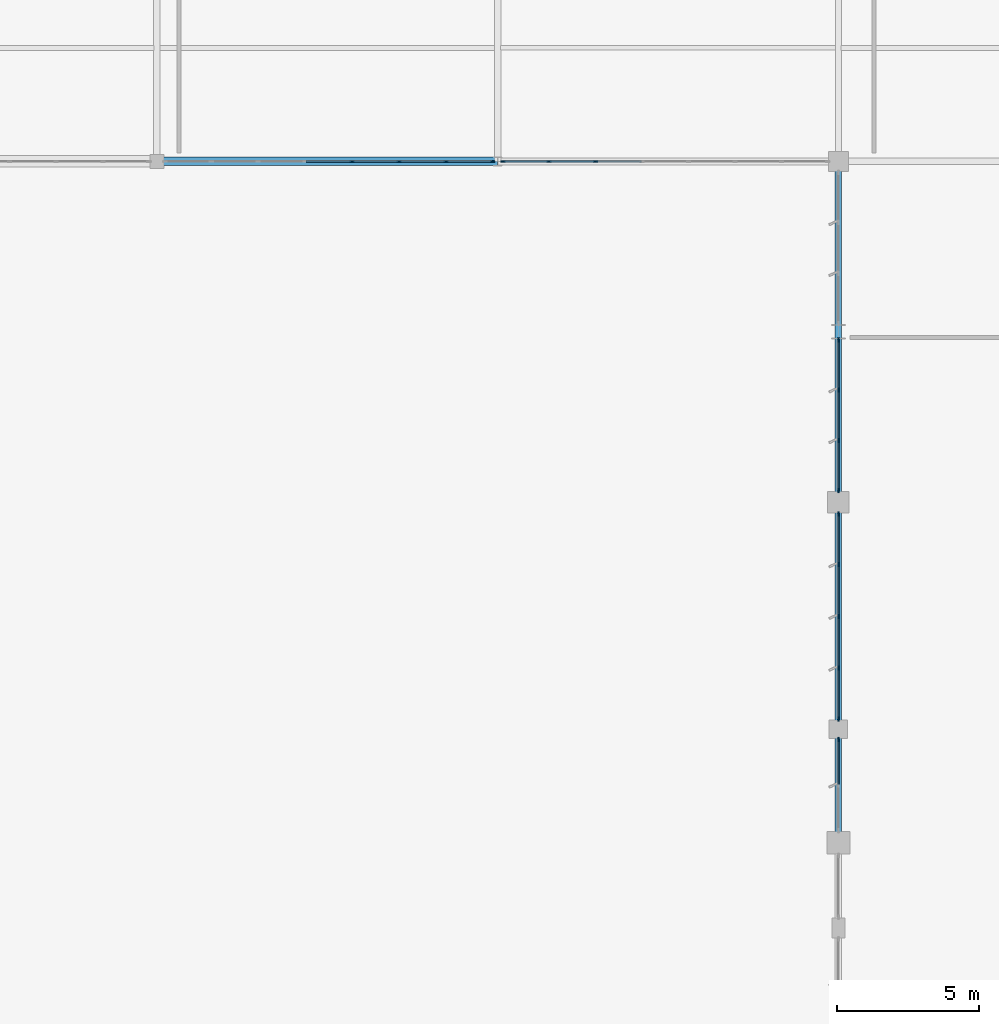
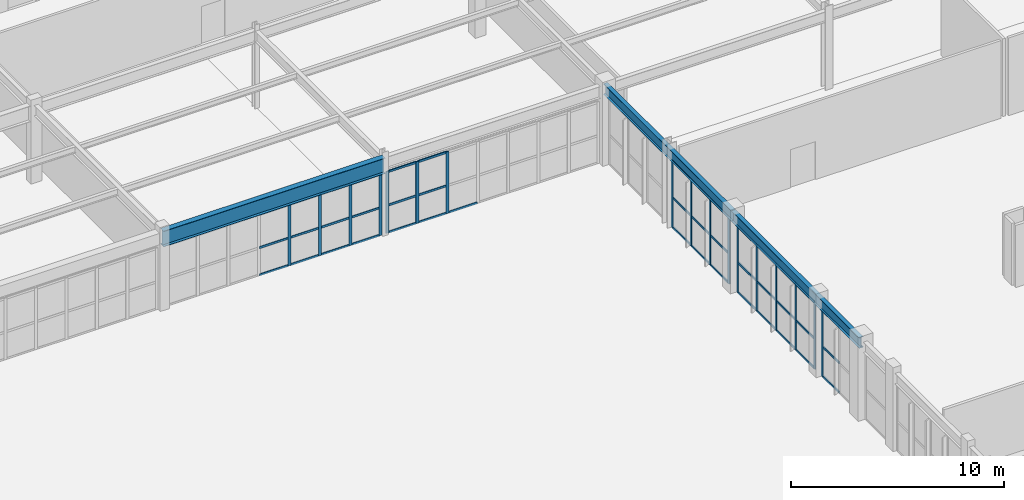
# One storey, part 85 of 199: 60 members, 3 beams, 5 elements without a shape of their own.
"""IFC4 building model written with IfcOpenShell, lengths in metres."""

from ifc_helpers import new_model, si_unit, direction, frame, origin, origin_2d, place, context, subcontext, project, spatial, rectangle, i_section, extrude, material, layer, layer_set, material_profile, profile_set, type_object, element, aggregate, save


model = new_model("IFC4")

# Units and contexts
model_context = context("Model", 3, precision=1e-05, world=origin(), true_north=direction((0.0, 1.0)))
body_context = subcontext(model_context, "Body", "Model", "MODEL_VIEW")
ifc_project = project(units=[si_unit("LENGTHUNIT", "METRE"), si_unit("AREAUNIT", "SQUARE_METRE"), si_unit("VOLUMEUNIT", "CUBIC_METRE"), si_unit("PLANEANGLEUNIT", "RADIAN"), si_unit("MASSUNIT", "GRAM", prefix="KILO")], contexts=[model_context])

# Site, building, storey
site_placement = place(None, origin())
site = spatial("IfcSite", under=ifc_project, at=site_placement, CompositionType="ELEMENT")
building_placement = place(site_placement, origin())
building = spatial("IfcBuilding", under=site, at=building_placement, Name="Tarnwether General Hospital", CompositionType="ELEMENT")
storey_placement = place(building_placement, origin())
storey = spatial("IfcBuildingStorey", under=building, at=storey_placement, Name="L00", CompositionType="ELEMENT", Elevation=0.0)

# Beams
ifc_material_1 = material(Name="Steel Grade 350 (350 MPa)", Category="steel")
ifc_material_profile_1 = material_profile(ifc_material_1, i_section(OverallWidth=0.300048828125, OverallDepth=0.89990234375, WebThickness=0.011962890625, FlangeThickness=0.02001953125, at=origin_2d()), Name="900WB175")
ifc_profile_set_1 = profile_set([ifc_material_profile_1], Name="Steel Grade 350 (350 MPa)")
beam_type_1 = type_object("IfcBeamType", Name="BM-G01", PredefinedType="BEAM", material=ifc_profile_set_1)
beam_1_placement = place(storey_placement, frame((84.0, 81.60009765625, 3.9951171875), z_axis=(1.0, 0.0, 0.0), x_axis=(0.0, 1.0, 0.0)))
element("IfcBeam", 1, at=beam_1_placement, inside=storey, type_object=beam_type_1, Name="Primary Girder BMG-L00-8400_8160-9600_8160-0725", PredefinedType="BEAM", context=body_context, shape_type="SweptSolid", body=[
    extrude(i_section(OverallWidth=0.300048828125, OverallDepth=0.89990234375, WebThickness=0.011962890625, FlangeThickness=0.02001953125, at=origin_2d()), origin(), (0.0, 0.0, 1.0), 12.0),
])
ifc_material_2 = material(Name="Steel Grade 350 (350 MPa)", Category="steel")
ifc_material_profile_2 = material_profile(ifc_material_2, i_section(OverallWidth=0.22802734375, OverallDepth=0.60693359375, WebThickness=0.01123046875, FlangeThickness=0.017333984375, at=origin_2d()), Name="610UB113")
ifc_profile_set_2 = profile_set([ifc_material_profile_2], Name="Steel Grade 350 (350 MPa)")
beam_type_2 = type_object("IfcBeamType", Name="BM-G04", PredefinedType="BEAM", material=ifc_profile_set_2)
beam_2_placement = place(storey_placement, frame((108.0, 57.60009765625, 4.1416015625), z_axis=(0.0, 1.0, 0.0), x_axis=(-1.0, 0.0, 0.0)))
element("IfcBeam", 2, at=beam_2_placement, inside=storey, type_object=beam_type_2, Name="Primary Girder BMG-L00-10800_5760-10800_6960-0751", PredefinedType="BEAM", context=body_context, shape_type="SweptSolid", body=[
    extrude(i_section(OverallWidth=0.22802734375, OverallDepth=0.60693359375, WebThickness=0.01123046875, FlangeThickness=0.017333984375, at=origin_2d()), origin(), (0.0, 0.0, 1.0), 12.0),
])
ifc_material_3 = material(Name="Steel Grade 350 (350 MPa)", Category="steel")
ifc_material_profile_3 = material_profile(ifc_material_3, i_section(OverallWidth=0.22802734375, OverallDepth=0.60205078125, WebThickness=0.010498046875, FlangeThickness=0.014892578125, at=origin_2d()), Name="610UB101")
ifc_profile_set_3 = profile_set([ifc_material_profile_3], Name="Steel Grade 350 (350 MPa)")
beam_type_3 = type_object("IfcBeamType", Name="BM-G05", PredefinedType="BEAM", material=ifc_profile_set_3)
beam_3_placement = place(storey_placement, frame((108.0, 69.60009765625, 4.14404296875), z_axis=(0.0, 1.0, 0.0), x_axis=(-1.0, 0.0, 0.0)))
element("IfcBeam", 3, at=beam_3_placement, inside=storey, type_object=beam_type_3, Name="Primary Girder BMG-L00-10800_6960-10800_8160-0752", PredefinedType="BEAM", context=body_context, shape_type="SweptSolid", body=[
    extrude(i_section(OverallWidth=0.22802734375, OverallDepth=0.60205078125, WebThickness=0.010498046875, FlangeThickness=0.014892578125, at=origin_2d()), origin(), (0.0, 0.0, 1.0), 12.0),
])

# Curtain wall, member
ifc_material_4 = material(Name="Anodised aluminium", Category="aluminium")
ifc_layer_1 = layer(ifc_material_4, 0.179931640625)
ifc_layer_set_1 = layer_set([ifc_layer_1], Name="Anodised aluminium")
curtain_wall_type_1 = type_object("IfcCurtainWallType", Name="CW-08", PredefinedType="NOTDEFINED", material=ifc_layer_set_1)
curtain_wall_1_placement = place(storey_placement, origin())
curtain_wall_1 = element("IfcCurtainWall", 4, at=curtain_wall_1_placement, inside=storey, type_object=curtain_wall_type_1, Name="Curtain Wall CWG-L00-1080_580-0301", PredefinedType="NOTDEFINED")
ifc_material_5 = material(Name="Anodised aluminium", Category="aluminium")
ifc_material_profile_4 = material_profile(ifc_material_5, rectangle(XDim=0.06005859375, YDim=0.159912109375, at=origin_2d()), Name="ALU-MUL-60x160")
ifc_profile_set_4 = profile_set([ifc_material_profile_4], Name="Anodised aluminium")
member_type_1 = type_object("IfcMemberType", Name="CW-ML1", PredefinedType="MULLION", material=ifc_profile_set_4)
member_1_placement = place(storey_placement, frame((108.0, 61.237060546875, 0.0), z_axis=(0.0, 0.0, 1.0), x_axis=(-1.0, 0.0, 0.0)))
member_1 = element("IfcMember", 5, at=member_1_placement, type_object=member_type_1, Name="CW-08 mullion 3", PredefinedType="MULLION", context=body_context, shape_type="SweptSolid", body=[
    extrude(rectangle(XDim=0.06005859375, YDim=0.159912109375, at=origin_2d()), origin(), (0.0, 0.0, 1.0), 3.822998046875),
])

# Curtain wall, members
curtain_wall_2_placement = place(storey_placement, origin())
curtain_wall_2 = element("IfcCurtainWall", 6, at=curtain_wall_2_placement, inside=storey, type_object=curtain_wall_type_1, Name="Curtain Wall CWG-L00-1080_619-0302", PredefinedType="NOTDEFINED")
member_2_placement = place(storey_placement, frame((108.0, 61.962890625, 0.0), z_axis=(0.0, 0.0, 1.0), x_axis=(-1.0, 0.0, 0.0)))
member_2 = element("IfcMember", 7, at=member_2_placement, type_object=member_type_1, Name="CW-08 mullion 1", PredefinedType="MULLION", context=body_context, shape_type="SweptSolid", body=[
    extrude(rectangle(XDim=0.06005859375, YDim=0.159912109375, at=origin_2d()), origin(), (0.0, 0.0, 1.0), 3.822998046875),
])
member_3_placement = place(storey_placement, frame((108.0, 63.75390625, 0.0), z_axis=(0.0, 0.0, 1.0), x_axis=(-1.0, 0.0, 0.0)))
member_3 = element("IfcMember", 8, at=member_3_placement, type_object=member_type_1, Name="CW-08 mullion 2", PredefinedType="MULLION", context=body_context, shape_type="SweptSolid", body=[
    extrude(rectangle(XDim=0.06005859375, YDim=0.159912109375, at=origin_2d()), origin(), (0.0, 0.0, 1.0), 3.822998046875),
])
member_4_placement = place(storey_placement, frame((108.0, 65.574951171875, 0.0), z_axis=(0.0, 0.0, 1.0), x_axis=(-1.0, 0.0, 0.0)))
member_4 = element("IfcMember", 9, at=member_4_placement, type_object=member_type_1, Name="CW-08 mullion 3", PredefinedType="MULLION", context=body_context, shape_type="SweptSolid", body=[
    extrude(rectangle(XDim=0.06005859375, YDim=0.159912109375, at=origin_2d()), origin(), (0.0, 0.0, 1.0), 3.822998046875),
])
member_5_placement = place(storey_placement, frame((108.0, 67.39599609375, 0.0), z_axis=(0.0, 0.0, 1.0), x_axis=(-1.0, 0.0, 0.0)))
member_5 = element("IfcMember", 10, at=member_5_placement, type_object=member_type_1, Name="CW-08 mullion 4", PredefinedType="MULLION", context=body_context, shape_type="SweptSolid", body=[
    extrude(rectangle(XDim=0.06005859375, YDim=0.159912109375, at=origin_2d()), origin(), (0.0, 0.0, 1.0), 3.822998046875),
])
member_6_placement = place(storey_placement, frame((108.0, 69.18701171875, 0.0), z_axis=(0.0, 0.0, 1.0), x_axis=(-1.0, 0.0, 0.0)))
member_6 = element("IfcMember", 11, at=member_6_placement, type_object=member_type_1, Name="CW-08 mullion 5", PredefinedType="MULLION", context=body_context, shape_type="SweptSolid", body=[
    extrude(rectangle(XDim=0.06005859375, YDim=0.159912109375, at=origin_2d()), origin(), (0.0, 0.0, 1.0), 3.822998046875),
])

curtain_wall_3_placement = place(storey_placement, origin())
curtain_wall_3 = element("IfcCurtainWall", 12, at=curtain_wall_3_placement, inside=storey, type_object=curtain_wall_type_1, Name="Curtain Wall CWG-L00-1080_700-0303", PredefinedType="NOTDEFINED")
member_7_placement = place(storey_placement, frame((108.0, 70.012939453125, 0.0), z_axis=(0.0, 0.0, 1.0), x_axis=(-1.0, 0.0, 0.0)))
member_7 = element("IfcMember", 13, at=member_7_placement, type_object=member_type_1, Name="CW-08 mullion 1", PredefinedType="MULLION", context=body_context, shape_type="SweptSolid", body=[
    extrude(rectangle(XDim=0.06005859375, YDim=0.159912109375, at=origin_2d()), origin(), (0.0, 0.0, 1.0), 3.827880859375),
])
member_8_placement = place(storey_placement, frame((108.0, 71.769287109375, 0.0), z_axis=(0.0, 0.0, 1.0), x_axis=(-1.0, 0.0, 0.0)))
member_8 = element("IfcMember", 14, at=member_8_placement, type_object=member_type_1, Name="CW-08 mullion 2", PredefinedType="MULLION", context=body_context, shape_type="SweptSolid", body=[
    extrude(rectangle(XDim=0.06005859375, YDim=0.159912109375, at=origin_2d()), origin(), (0.0, 0.0, 1.0), 3.827880859375),
])
member_9_placement = place(storey_placement, frame((108.0, 73.5556640625, 0.0), z_axis=(0.0, 0.0, 1.0), x_axis=(-1.0, 0.0, 0.0)))
member_9 = element("IfcMember", 15, at=member_9_placement, type_object=member_type_1, Name="CW-08 mullion 3", PredefinedType="MULLION", context=body_context, shape_type="SweptSolid", body=[
    extrude(rectangle(XDim=0.06005859375, YDim=0.159912109375, at=origin_2d()), origin(), (0.0, 0.0, 1.0), 3.827880859375),
])
member_10_placement = place(storey_placement, frame((108.0, 75.31201171875, 0.0), z_axis=(0.0, 0.0, 1.0), x_axis=(-1.0, 0.0, 0.0)))
member_10 = element("IfcMember", 16, at=member_10_placement, type_object=member_type_1, Name="CW-08 mullion 4", PredefinedType="MULLION", context=body_context, shape_type="SweptSolid", body=[
    extrude(rectangle(XDim=0.06005859375, YDim=0.159912109375, at=origin_2d()), origin(), (0.0, 0.0, 1.0), 3.827880859375),
])

ifc_material_6 = material(Name="Anodised aluminium", Category="aluminium")
ifc_layer_2 = layer(ifc_material_6, 0.159912109375)
ifc_layer_set_2 = layer_set([ifc_layer_2], Name="Anodised aluminium")
curtain_wall_type_2 = type_object("IfcCurtainWallType", Name="CW-23", PredefinedType="NOTDEFINED", material=ifc_layer_set_2)
curtain_wall_4_placement = place(storey_placement, origin())
curtain_wall_4 = element("IfcCurtainWall", 17, at=curtain_wall_4_placement, inside=storey, type_object=curtain_wall_type_2, Name="Curtain Wall CWG-L00-843_816-0307", PredefinedType="NOTDEFINED")
member_11_placement = place(storey_placement, frame((90.876220703125, 81.60009765625, 0.0), z_axis=(0.0, 0.0, 1.0), x_axis=(0.0, 1.0, 0.0)))
member_11 = element("IfcMember", 18, at=member_11_placement, type_object=member_type_1, Name="CW-23 mullion 5", PredefinedType="MULLION", context=body_context, shape_type="SweptSolid", body=[
    extrude(rectangle(XDim=0.06005859375, YDim=0.159912109375, at=origin_2d()), origin(), (0.0, 0.0, 1.0), 3.530029296875),
])
member_12_placement = place(storey_placement, frame((92.53076171875, 81.60009765625, 0.0), z_axis=(0.0, 0.0, 1.0), x_axis=(0.0, 1.0, 0.0)))
member_12 = element("IfcMember", 19, at=member_12_placement, type_object=member_type_1, Name="CW-23 mullion 6", PredefinedType="MULLION", context=body_context, shape_type="SweptSolid", body=[
    extrude(rectangle(XDim=0.06005859375, YDim=0.159912109375, at=origin_2d()), origin(), (0.0, 0.0, 1.0), 3.530029296875),
])
member_13_placement = place(storey_placement, frame((94.185546875, 81.60009765625, 0.0), z_axis=(0.0, 0.0, 1.0), x_axis=(0.0, 1.0, 0.0)))
member_13 = element("IfcMember", 20, at=member_13_placement, type_object=member_type_1, Name="CW-23 mullion 7", PredefinedType="MULLION", context=body_context, shape_type="SweptSolid", body=[
    extrude(rectangle(XDim=0.06005859375, YDim=0.159912109375, at=origin_2d()), origin(), (0.0, 0.0, 1.0), 3.530029296875),
])
member_14_placement = place(storey_placement, frame((95.81005859375, 81.60009765625, 0.0), z_axis=(0.0, 0.0, 1.0), x_axis=(0.0, 1.0, 0.0)))
member_14 = element("IfcMember", 21, at=member_14_placement, type_object=member_type_1, Name="CW-23 mullion 8", PredefinedType="MULLION", context=body_context, shape_type="SweptSolid", body=[
    extrude(rectangle(XDim=0.06005859375, YDim=0.159912109375, at=origin_2d()), origin(), (0.0, 0.0, 1.0), 3.530029296875),
])

curtain_wall_5_placement = place(storey_placement, origin())
curtain_wall_5 = element("IfcCurtainWall", 22, at=curtain_wall_5_placement, inside=storey, type_object=curtain_wall_type_2, Name="Curtain Wall CWG-L00-962_816-0308", PredefinedType="NOTDEFINED")
member_15_placement = place(storey_placement, frame((96.18994140625, 81.60009765625, 0.0), z_axis=(0.0, 0.0, 1.0), x_axis=(0.0, 1.0, 0.0)))
member_15 = element("IfcMember", 23, at=member_15_placement, type_object=member_type_1, Name="CW-23 mullion 1", PredefinedType="MULLION", context=body_context, shape_type="SweptSolid", body=[
    extrude(rectangle(XDim=0.06005859375, YDim=0.159912109375, at=origin_2d()), origin(), (0.0, 0.0, 1.0), 3.530029296875),
])
member_16_placement = place(storey_placement, frame((97.80029296875, 81.60009765625, 0.0), z_axis=(0.0, 0.0, 1.0), x_axis=(0.0, 1.0, 0.0)))
member_16 = element("IfcMember", 24, at=member_16_placement, type_object=member_type_1, Name="CW-23 mullion 2", PredefinedType="MULLION", context=body_context, shape_type="SweptSolid", body=[
    extrude(rectangle(XDim=0.06005859375, YDim=0.159912109375, at=origin_2d()), origin(), (0.0, 0.0, 1.0), 3.530029296875),
])
member_17_placement = place(storey_placement, frame((99.440673828125, 81.60009765625, 0.0), z_axis=(0.0, 0.0, 1.0), x_axis=(0.0, 1.0, 0.0)))
member_17 = element("IfcMember", 25, at=member_17_placement, type_object=member_type_1, Name="CW-23 mullion 3", PredefinedType="MULLION", context=body_context, shape_type="SweptSolid", body=[
    extrude(rectangle(XDim=0.06005859375, YDim=0.159912109375, at=origin_2d()), origin(), (0.0, 0.0, 1.0), 3.530029296875),
])

# Member
ifc_material_7 = material(Name="Anodised aluminium", Category="aluminium")
ifc_material_profile_5 = material_profile(ifc_material_7, rectangle(XDim=0.06005859375, YDim=0.1201171875, at=origin_2d()), Name="ALU-TRN-60x120")
ifc_profile_set_5 = profile_set([ifc_material_profile_5], Name="Anodised aluminium")
member_type_2 = type_object("IfcMemberType", Name="CW-TR1", PredefinedType="USERDEFINED", material=ifc_profile_set_5)
member_18_placement = place(storey_placement, frame((108.0, 59.66748046875, 0.030029296875), z_axis=(0.0, 1.0, 0.0), x_axis=(-1.0, 0.0, 0.0)))
member_18 = element("IfcMember", 26, at=member_18_placement, type_object=member_type_2, Name="CW-08 transom 2.1", ObjectType="TRANSOM", PredefinedType="USERDEFINED", context=body_context, shape_type="SweptSolid", body=[
    extrude(rectangle(XDim=0.06005859375, YDim=0.1201171875, at=origin_2d()), origin(), (0.0, 0.0, 1.0), 1.53955078125),
])

member_19_placement = place(storey_placement, frame((108.0, 59.66748046875, 1.720458984375), z_axis=(0.0, 1.0, 0.0), x_axis=(-1.0, 0.0, 0.0)))
member_19 = element("IfcMember", 27, at=member_19_placement, type_object=member_type_2, Name="CW-08 transom 2.2", ObjectType="TRANSOM", PredefinedType="USERDEFINED", context=body_context, shape_type="SweptSolid", body=[
    extrude(rectangle(XDim=0.06005859375, YDim=0.1201171875, at=origin_2d()), origin(), (0.0, 0.0, 1.0), 1.53955078125),
])

member_20_placement = place(storey_placement, frame((108.0, 59.66748046875, 3.79296875), z_axis=(0.0, 1.0, 0.0), x_axis=(-1.0, 0.0, 0.0)))
member_20 = element("IfcMember", 28, at=member_20_placement, type_object=member_type_2, Name="CW-08 transom 2.3", ObjectType="TRANSOM", PredefinedType="USERDEFINED", context=body_context, shape_type="SweptSolid", body=[
    extrude(rectangle(XDim=0.06005859375, YDim=0.1201171875, at=origin_2d()), origin(), (0.0, 0.0, 1.0), 1.53955078125),
])

aggregate(curtain_wall_1, [member_1, member_18, member_19, member_20])

member_21_placement = place(storey_placement, frame((108.0, 61.992919921875, 0.030029296875), z_axis=(0.0, 1.0, 0.0), x_axis=(-1.0, 0.0, 0.0)))
member_21 = element("IfcMember", 29, at=member_21_placement, type_object=member_type_2, Name="CW-08 transom 1.1", ObjectType="TRANSOM", PredefinedType="USERDEFINED", context=body_context, shape_type="SweptSolid", body=[
    extrude(rectangle(XDim=0.06005859375, YDim=0.1201171875, at=origin_2d()), origin(), (0.0, 0.0, 1.0), 1.731201171875),
])

member_22_placement = place(storey_placement, frame((108.0, 61.992919921875, 1.720458984375), z_axis=(0.0, 1.0, 0.0), x_axis=(-1.0, 0.0, 0.0)))
member_22 = element("IfcMember", 30, at=member_22_placement, type_object=member_type_2, Name="CW-08 transom 1.2", ObjectType="TRANSOM", PredefinedType="USERDEFINED", context=body_context, shape_type="SweptSolid", body=[
    extrude(rectangle(XDim=0.06005859375, YDim=0.1201171875, at=origin_2d()), origin(), (0.0, 0.0, 1.0), 1.731201171875),
])

member_23_placement = place(storey_placement, frame((108.0, 61.992919921875, 3.79296875), z_axis=(0.0, 1.0, 0.0), x_axis=(-1.0, 0.0, 0.0)))
member_23 = element("IfcMember", 31, at=member_23_placement, type_object=member_type_2, Name="CW-08 transom 1.3", ObjectType="TRANSOM", PredefinedType="USERDEFINED", context=body_context, shape_type="SweptSolid", body=[
    extrude(rectangle(XDim=0.06005859375, YDim=0.1201171875, at=origin_2d()), origin(), (0.0, 0.0, 1.0), 1.731201171875),
])

member_24_placement = place(storey_placement, frame((108.0, 63.783935546875, 0.030029296875), z_axis=(0.0, 1.0, 0.0), x_axis=(-1.0, 0.0, 0.0)))
member_24 = element("IfcMember", 32, at=member_24_placement, type_object=member_type_2, Name="CW-08 transom 2.1", ObjectType="TRANSOM", PredefinedType="USERDEFINED", context=body_context, shape_type="SweptSolid", body=[
    extrude(rectangle(XDim=0.06005859375, YDim=0.1201171875, at=origin_2d()), origin(), (0.0, 0.0, 1.0), 1.760986328125),
])

member_25_placement = place(storey_placement, frame((108.0, 63.783935546875, 1.720458984375), z_axis=(0.0, 1.0, 0.0), x_axis=(-1.0, 0.0, 0.0)))
member_25 = element("IfcMember", 33, at=member_25_placement, type_object=member_type_2, Name="CW-08 transom 2.2", ObjectType="TRANSOM", PredefinedType="USERDEFINED", context=body_context, shape_type="SweptSolid", body=[
    extrude(rectangle(XDim=0.06005859375, YDim=0.1201171875, at=origin_2d()), origin(), (0.0, 0.0, 1.0), 1.760986328125),
])

member_26_placement = place(storey_placement, frame((108.0, 63.783935546875, 3.79296875), z_axis=(0.0, 1.0, 0.0), x_axis=(-1.0, 0.0, 0.0)))
member_26 = element("IfcMember", 34, at=member_26_placement, type_object=member_type_2, Name="CW-08 transom 2.3", ObjectType="TRANSOM", PredefinedType="USERDEFINED", context=body_context, shape_type="SweptSolid", body=[
    extrude(rectangle(XDim=0.06005859375, YDim=0.1201171875, at=origin_2d()), origin(), (0.0, 0.0, 1.0), 1.760986328125),
])

member_27_placement = place(storey_placement, frame((108.0, 65.60498046875, 0.030029296875), z_axis=(0.0, 1.0, 0.0), x_axis=(-1.0, 0.0, 0.0)))
member_27 = element("IfcMember", 35, at=member_27_placement, type_object=member_type_2, Name="CW-08 transom 3.1", ObjectType="TRANSOM", PredefinedType="USERDEFINED", context=body_context, shape_type="SweptSolid", body=[
    extrude(rectangle(XDim=0.06005859375, YDim=0.1201171875, at=origin_2d()), origin(), (0.0, 0.0, 1.0), 1.760986328125),
])

member_28_placement = place(storey_placement, frame((108.0, 65.60498046875, 1.720458984375), z_axis=(0.0, 1.0, 0.0), x_axis=(-1.0, 0.0, 0.0)))
member_28 = element("IfcMember", 36, at=member_28_placement, type_object=member_type_2, Name="CW-08 transom 3.2", ObjectType="TRANSOM", PredefinedType="USERDEFINED", context=body_context, shape_type="SweptSolid", body=[
    extrude(rectangle(XDim=0.06005859375, YDim=0.1201171875, at=origin_2d()), origin(), (0.0, 0.0, 1.0), 1.760986328125),
])

member_29_placement = place(storey_placement, frame((108.0, 65.60498046875, 3.79296875), z_axis=(0.0, 1.0, 0.0), x_axis=(-1.0, 0.0, 0.0)))
member_29 = element("IfcMember", 37, at=member_29_placement, type_object=member_type_2, Name="CW-08 transom 3.3", ObjectType="TRANSOM", PredefinedType="USERDEFINED", context=body_context, shape_type="SweptSolid", body=[
    extrude(rectangle(XDim=0.06005859375, YDim=0.1201171875, at=origin_2d()), origin(), (0.0, 0.0, 1.0), 1.760986328125),
])

member_30_placement = place(storey_placement, frame((108.0, 67.426025390625, 0.030029296875), z_axis=(0.0, 1.0, 0.0), x_axis=(-1.0, 0.0, 0.0)))
member_30 = element("IfcMember", 38, at=member_30_placement, type_object=member_type_2, Name="CW-08 transom 4.1", ObjectType="TRANSOM", PredefinedType="USERDEFINED", context=body_context, shape_type="SweptSolid", body=[
    extrude(rectangle(XDim=0.06005859375, YDim=0.1201171875, at=origin_2d()), origin(), (0.0, 0.0, 1.0), 1.73095703125),
])

member_31_placement = place(storey_placement, frame((108.0, 67.426025390625, 1.720458984375), z_axis=(0.0, 1.0, 0.0), x_axis=(-1.0, 0.0, 0.0)))
member_31 = element("IfcMember", 39, at=member_31_placement, type_object=member_type_2, Name="CW-08 transom 4.2", ObjectType="TRANSOM", PredefinedType="USERDEFINED", context=body_context, shape_type="SweptSolid", body=[
    extrude(rectangle(XDim=0.06005859375, YDim=0.1201171875, at=origin_2d()), origin(), (0.0, 0.0, 1.0), 1.73095703125),
])

member_32_placement = place(storey_placement, frame((108.0, 67.426025390625, 3.79296875), z_axis=(0.0, 1.0, 0.0), x_axis=(-1.0, 0.0, 0.0)))
member_32 = element("IfcMember", 40, at=member_32_placement, type_object=member_type_2, Name="CW-08 transom 4.3", ObjectType="TRANSOM", PredefinedType="USERDEFINED", context=body_context, shape_type="SweptSolid", body=[
    extrude(rectangle(XDim=0.06005859375, YDim=0.1201171875, at=origin_2d()), origin(), (0.0, 0.0, 1.0), 1.73095703125),
])

aggregate(curtain_wall_2, [member_2, member_3, member_4, member_5, member_6, member_21, member_22, member_23, member_24, member_25, member_26, member_27, member_28, member_29, member_30, member_31, member_32])

member_33_placement = place(storey_placement, frame((108.0, 70.04296875, 0.030029296875), z_axis=(0.0, 1.0, 0.0), x_axis=(-1.0, 0.0, 0.0)))
member_33 = element("IfcMember", 41, at=member_33_placement, type_object=member_type_2, Name="CW-08 transom 1.1", ObjectType="TRANSOM", PredefinedType="USERDEFINED", context=body_context, shape_type="SweptSolid", body=[
    extrude(rectangle(XDim=0.06005859375, YDim=0.1201171875, at=origin_2d()), origin(), (0.0, 0.0, 1.0), 1.6962890625),
])

member_34_placement = place(storey_placement, frame((108.0, 70.04296875, 1.72265625), z_axis=(0.0, 1.0, 0.0), x_axis=(-1.0, 0.0, 0.0)))
member_34 = element("IfcMember", 42, at=member_34_placement, type_object=member_type_2, Name="CW-08 transom 1.2", ObjectType="TRANSOM", PredefinedType="USERDEFINED", context=body_context, shape_type="SweptSolid", body=[
    extrude(rectangle(XDim=0.06005859375, YDim=0.1201171875, at=origin_2d()), origin(), (0.0, 0.0, 1.0), 1.6962890625),
])

member_35_placement = place(storey_placement, frame((108.0, 70.04296875, 3.798095703125), z_axis=(0.0, 1.0, 0.0), x_axis=(-1.0, 0.0, 0.0)))
member_35 = element("IfcMember", 43, at=member_35_placement, type_object=member_type_2, Name="CW-08 transom 1.3", ObjectType="TRANSOM", PredefinedType="USERDEFINED", context=body_context, shape_type="SweptSolid", body=[
    extrude(rectangle(XDim=0.06005859375, YDim=0.1201171875, at=origin_2d()), origin(), (0.0, 0.0, 1.0), 1.6962890625),
])

member_36_placement = place(storey_placement, frame((108.0, 71.79931640625, 0.030029296875), z_axis=(0.0, 1.0, 0.0), x_axis=(-1.0, 0.0, 0.0)))
member_36 = element("IfcMember", 44, at=member_36_placement, type_object=member_type_2, Name="CW-08 transom 2.1", ObjectType="TRANSOM", PredefinedType="USERDEFINED", context=body_context, shape_type="SweptSolid", body=[
    extrude(rectangle(XDim=0.06005859375, YDim=0.1201171875, at=origin_2d()), origin(), (0.0, 0.0, 1.0), 1.726318359375),
])

member_37_placement = place(storey_placement, frame((108.0, 71.79931640625, 1.72265625), z_axis=(0.0, 1.0, 0.0), x_axis=(-1.0, 0.0, 0.0)))
member_37 = element("IfcMember", 45, at=member_37_placement, type_object=member_type_2, Name="CW-08 transom 2.2", ObjectType="TRANSOM", PredefinedType="USERDEFINED", context=body_context, shape_type="SweptSolid", body=[
    extrude(rectangle(XDim=0.06005859375, YDim=0.1201171875, at=origin_2d()), origin(), (0.0, 0.0, 1.0), 1.726318359375),
])

member_38_placement = place(storey_placement, frame((108.0, 71.79931640625, 3.798095703125), z_axis=(0.0, 1.0, 0.0), x_axis=(-1.0, 0.0, 0.0)))
member_38 = element("IfcMember", 46, at=member_38_placement, type_object=member_type_2, Name="CW-08 transom 2.3", ObjectType="TRANSOM", PredefinedType="USERDEFINED", context=body_context, shape_type="SweptSolid", body=[
    extrude(rectangle(XDim=0.06005859375, YDim=0.1201171875, at=origin_2d()), origin(), (0.0, 0.0, 1.0), 1.726318359375),
])

member_39_placement = place(storey_placement, frame((108.0, 73.585693359375, 0.030029296875), z_axis=(0.0, 1.0, 0.0), x_axis=(-1.0, 0.0, 0.0)))
member_39 = element("IfcMember", 47, at=member_39_placement, type_object=member_type_2, Name="CW-08 transom 3.1", ObjectType="TRANSOM", PredefinedType="USERDEFINED", context=body_context, shape_type="SweptSolid", body=[
    extrude(rectangle(XDim=0.06005859375, YDim=0.1201171875, at=origin_2d()), origin(), (0.0, 0.0, 1.0), 1.6962890625),
])

member_40_placement = place(storey_placement, frame((108.0, 73.585693359375, 1.72265625), z_axis=(0.0, 1.0, 0.0), x_axis=(-1.0, 0.0, 0.0)))
member_40 = element("IfcMember", 48, at=member_40_placement, type_object=member_type_2, Name="CW-08 transom 3.2", ObjectType="TRANSOM", PredefinedType="USERDEFINED", context=body_context, shape_type="SweptSolid", body=[
    extrude(rectangle(XDim=0.06005859375, YDim=0.1201171875, at=origin_2d()), origin(), (0.0, 0.0, 1.0), 1.6962890625),
])

member_41_placement = place(storey_placement, frame((108.0, 73.585693359375, 3.798095703125), z_axis=(0.0, 1.0, 0.0), x_axis=(-1.0, 0.0, 0.0)))
member_41 = element("IfcMember", 49, at=member_41_placement, type_object=member_type_2, Name="CW-08 transom 3.3", ObjectType="TRANSOM", PredefinedType="USERDEFINED", context=body_context, shape_type="SweptSolid", body=[
    extrude(rectangle(XDim=0.06005859375, YDim=0.1201171875, at=origin_2d()), origin(), (0.0, 0.0, 1.0), 1.6962890625),
])

aggregate(curtain_wall_3, [member_7, member_8, member_9, member_10, member_33, member_34, member_35, member_36, member_37, member_38, member_39, member_40, member_41])

member_42_placement = place(storey_placement, frame((89.251708984375, 81.60009765625, 0.030029296875), z_axis=(1.0, 0.0, 0.0), x_axis=(0.0, 1.0, 0.0)))
member_42 = element("IfcMember", 50, at=member_42_placement, type_object=member_type_2, Name="CW-23 transom 4.1", ObjectType="TRANSOM", PredefinedType="USERDEFINED", context=body_context, shape_type="SweptSolid", body=[
    extrude(rectangle(XDim=0.06005859375, YDim=0.1201171875, at=origin_2d()), origin(), (0.0, 0.0, 1.0), 1.594482421875),
])

member_43_placement = place(storey_placement, frame((89.251708984375, 81.60009765625, 1.58837890625), z_axis=(1.0, 0.0, 0.0), x_axis=(0.0, 1.0, 0.0)))
member_43 = element("IfcMember", 51, at=member_43_placement, type_object=member_type_2, Name="CW-23 transom 4.2", ObjectType="TRANSOM", PredefinedType="USERDEFINED", context=body_context, shape_type="SweptSolid", body=[
    extrude(rectangle(XDim=0.06005859375, YDim=0.1201171875, at=origin_2d()), origin(), (0.0, 0.0, 1.0), 1.594482421875),
])

member_44_placement = place(storey_placement, frame((89.251708984375, 81.60009765625, 3.5), z_axis=(1.0, 0.0, 0.0), x_axis=(0.0, 1.0, 0.0)))
member_44 = element("IfcMember", 52, at=member_44_placement, type_object=member_type_2, Name="CW-23 transom 4.3", ObjectType="TRANSOM", PredefinedType="USERDEFINED", context=body_context, shape_type="SweptSolid", body=[
    extrude(rectangle(XDim=0.06005859375, YDim=0.1201171875, at=origin_2d()), origin(), (0.0, 0.0, 1.0), 1.594482421875),
])

member_45_placement = place(storey_placement, frame((90.90625, 81.60009765625, 0.030029296875), z_axis=(1.0, 0.0, 0.0), x_axis=(0.0, 1.0, 0.0)))
member_45 = element("IfcMember", 53, at=member_45_placement, type_object=member_type_2, Name="CW-23 transom 5.1", ObjectType="TRANSOM", PredefinedType="USERDEFINED", context=body_context, shape_type="SweptSolid", body=[
    extrude(rectangle(XDim=0.06005859375, YDim=0.1201171875, at=origin_2d()), origin(), (0.0, 0.0, 1.0), 1.5947265625),
])

member_46_placement = place(storey_placement, frame((90.90625, 81.60009765625, 1.58837890625), z_axis=(1.0, 0.0, 0.0), x_axis=(0.0, 1.0, 0.0)))
member_46 = element("IfcMember", 54, at=member_46_placement, type_object=member_type_2, Name="CW-23 transom 5.2", ObjectType="TRANSOM", PredefinedType="USERDEFINED", context=body_context, shape_type="SweptSolid", body=[
    extrude(rectangle(XDim=0.06005859375, YDim=0.1201171875, at=origin_2d()), origin(), (0.0, 0.0, 1.0), 1.5947265625),
])

member_47_placement = place(storey_placement, frame((90.90625, 81.60009765625, 3.5), z_axis=(1.0, 0.0, 0.0), x_axis=(0.0, 1.0, 0.0)))
member_47 = element("IfcMember", 55, at=member_47_placement, type_object=member_type_2, Name="CW-23 transom 5.3", ObjectType="TRANSOM", PredefinedType="USERDEFINED", context=body_context, shape_type="SweptSolid", body=[
    extrude(rectangle(XDim=0.06005859375, YDim=0.1201171875, at=origin_2d()), origin(), (0.0, 0.0, 1.0), 1.5947265625),
])

member_48_placement = place(storey_placement, frame((92.560791015625, 81.60009765625, 0.030029296875), z_axis=(1.0, 0.0, 0.0), x_axis=(0.0, 1.0, 0.0)))
member_48 = element("IfcMember", 56, at=member_48_placement, type_object=member_type_2, Name="CW-23 transom 6.1", ObjectType="TRANSOM", PredefinedType="USERDEFINED", context=body_context, shape_type="SweptSolid", body=[
    extrude(rectangle(XDim=0.06005859375, YDim=0.1201171875, at=origin_2d()), origin(), (0.0, 0.0, 1.0), 1.5947265625),
])

member_49_placement = place(storey_placement, frame((92.560791015625, 81.60009765625, 1.58837890625), z_axis=(1.0, 0.0, 0.0), x_axis=(0.0, 1.0, 0.0)))
member_49 = element("IfcMember", 57, at=member_49_placement, type_object=member_type_2, Name="CW-23 transom 6.2", ObjectType="TRANSOM", PredefinedType="USERDEFINED", context=body_context, shape_type="SweptSolid", body=[
    extrude(rectangle(XDim=0.06005859375, YDim=0.1201171875, at=origin_2d()), origin(), (0.0, 0.0, 1.0), 1.5947265625),
])

member_50_placement = place(storey_placement, frame((92.560791015625, 81.60009765625, 3.5), z_axis=(1.0, 0.0, 0.0), x_axis=(0.0, 1.0, 0.0)))
member_50 = element("IfcMember", 58, at=member_50_placement, type_object=member_type_2, Name="CW-23 transom 6.3", ObjectType="TRANSOM", PredefinedType="USERDEFINED", context=body_context, shape_type="SweptSolid", body=[
    extrude(rectangle(XDim=0.06005859375, YDim=0.1201171875, at=origin_2d()), origin(), (0.0, 0.0, 1.0), 1.5947265625),
])

member_51_placement = place(storey_placement, frame((94.21533203125, 81.60009765625, 0.030029296875), z_axis=(1.0, 0.0, 0.0), x_axis=(0.0, 1.0, 0.0)))
member_51 = element("IfcMember", 59, at=member_51_placement, type_object=member_type_2, Name="CW-23 transom 7.1", ObjectType="TRANSOM", PredefinedType="USERDEFINED", context=body_context, shape_type="SweptSolid", body=[
    extrude(rectangle(XDim=0.06005859375, YDim=0.1201171875, at=origin_2d()), origin(), (0.0, 0.0, 1.0), 1.564697265625),
])

member_52_placement = place(storey_placement, frame((94.21533203125, 81.60009765625, 1.58837890625), z_axis=(1.0, 0.0, 0.0), x_axis=(0.0, 1.0, 0.0)))
member_52 = element("IfcMember", 60, at=member_52_placement, type_object=member_type_2, Name="CW-23 transom 7.2", ObjectType="TRANSOM", PredefinedType="USERDEFINED", context=body_context, shape_type="SweptSolid", body=[
    extrude(rectangle(XDim=0.06005859375, YDim=0.1201171875, at=origin_2d()), origin(), (0.0, 0.0, 1.0), 1.564697265625),
])

member_53_placement = place(storey_placement, frame((94.21533203125, 81.60009765625, 3.5), z_axis=(1.0, 0.0, 0.0), x_axis=(0.0, 1.0, 0.0)))
member_53 = element("IfcMember", 61, at=member_53_placement, type_object=member_type_2, Name="CW-23 transom 7.3", ObjectType="TRANSOM", PredefinedType="USERDEFINED", context=body_context, shape_type="SweptSolid", body=[
    extrude(rectangle(XDim=0.06005859375, YDim=0.1201171875, at=origin_2d()), origin(), (0.0, 0.0, 1.0), 1.564697265625),
])

aggregate(curtain_wall_4, [member_11, member_12, member_13, member_14, member_42, member_43, member_44, member_45, member_46, member_47, member_48, member_49, member_50, member_51, member_52, member_53])

member_54_placement = place(storey_placement, frame((96.219970703125, 81.60009765625, 0.030029296875), z_axis=(1.0, 0.0, 0.0), x_axis=(0.0, 1.0, 0.0)))
member_54 = element("IfcMember", 62, at=member_54_placement, type_object=member_type_2, Name="CW-23 transom 1.1", ObjectType="TRANSOM", PredefinedType="USERDEFINED", context=body_context, shape_type="SweptSolid", body=[
    extrude(rectangle(XDim=0.06005859375, YDim=0.1201171875, at=origin_2d()), origin(), (0.0, 0.0, 1.0), 1.55029296875),
])

member_55_placement = place(storey_placement, frame((96.219970703125, 81.60009765625, 1.58837890625), z_axis=(1.0, 0.0, 0.0), x_axis=(0.0, 1.0, 0.0)))
member_55 = element("IfcMember", 63, at=member_55_placement, type_object=member_type_2, Name="CW-23 transom 1.2", ObjectType="TRANSOM", PredefinedType="USERDEFINED", context=body_context, shape_type="SweptSolid", body=[
    extrude(rectangle(XDim=0.06005859375, YDim=0.1201171875, at=origin_2d()), origin(), (0.0, 0.0, 1.0), 1.55029296875),
])

member_56_placement = place(storey_placement, frame((96.219970703125, 81.60009765625, 3.5), z_axis=(1.0, 0.0, 0.0), x_axis=(0.0, 1.0, 0.0)))
member_56 = element("IfcMember", 64, at=member_56_placement, type_object=member_type_2, Name="CW-23 transom 1.3", ObjectType="TRANSOM", PredefinedType="USERDEFINED", context=body_context, shape_type="SweptSolid", body=[
    extrude(rectangle(XDim=0.06005859375, YDim=0.1201171875, at=origin_2d()), origin(), (0.0, 0.0, 1.0), 1.55029296875),
])

member_57_placement = place(storey_placement, frame((97.830322265625, 81.60009765625, 0.030029296875), z_axis=(1.0, 0.0, 0.0), x_axis=(0.0, 1.0, 0.0)))
member_57 = element("IfcMember", 65, at=member_57_placement, type_object=member_type_2, Name="CW-23 transom 2.1", ObjectType="TRANSOM", PredefinedType="USERDEFINED", context=body_context, shape_type="SweptSolid", body=[
    extrude(rectangle(XDim=0.06005859375, YDim=0.1201171875, at=origin_2d()), origin(), (0.0, 0.0, 1.0), 1.580322265625),
])

member_58_placement = place(storey_placement, frame((97.830322265625, 81.60009765625, 1.58837890625), z_axis=(1.0, 0.0, 0.0), x_axis=(0.0, 1.0, 0.0)))
member_58 = element("IfcMember", 66, at=member_58_placement, type_object=member_type_2, Name="CW-23 transom 2.2", ObjectType="TRANSOM", PredefinedType="USERDEFINED", context=body_context, shape_type="SweptSolid", body=[
    extrude(rectangle(XDim=0.06005859375, YDim=0.1201171875, at=origin_2d()), origin(), (0.0, 0.0, 1.0), 1.580322265625),
])

member_59_placement = place(storey_placement, frame((97.830322265625, 81.60009765625, 3.5), z_axis=(1.0, 0.0, 0.0), x_axis=(0.0, 1.0, 0.0)))
member_59 = element("IfcMember", 67, at=member_59_placement, type_object=member_type_2, Name="CW-23 transom 2.3", ObjectType="TRANSOM", PredefinedType="USERDEFINED", context=body_context, shape_type="SweptSolid", body=[
    extrude(rectangle(XDim=0.06005859375, YDim=0.1201171875, at=origin_2d()), origin(), (0.0, 0.0, 1.0), 1.580322265625),
])

member_60_placement = place(storey_placement, frame((99.470458984375, 81.60009765625, 0.030029296875), z_axis=(1.0, 0.0, 0.0), x_axis=(0.0, 1.0, 0.0)))
member_60 = element("IfcMember", 68, at=member_60_placement, type_object=member_type_2, Name="CW-23 transom 3.1", ObjectType="TRANSOM", PredefinedType="USERDEFINED", context=body_context, shape_type="SweptSolid", body=[
    extrude(rectangle(XDim=0.06005859375, YDim=0.1201171875, at=origin_2d()), origin(), (0.0, 0.0, 1.0), 1.580322265625),
])

aggregate(curtain_wall_5, [member_15, member_16, member_17, member_54, member_55, member_56, member_57, member_58, member_59, member_60])

save(model, "model.ifc")
